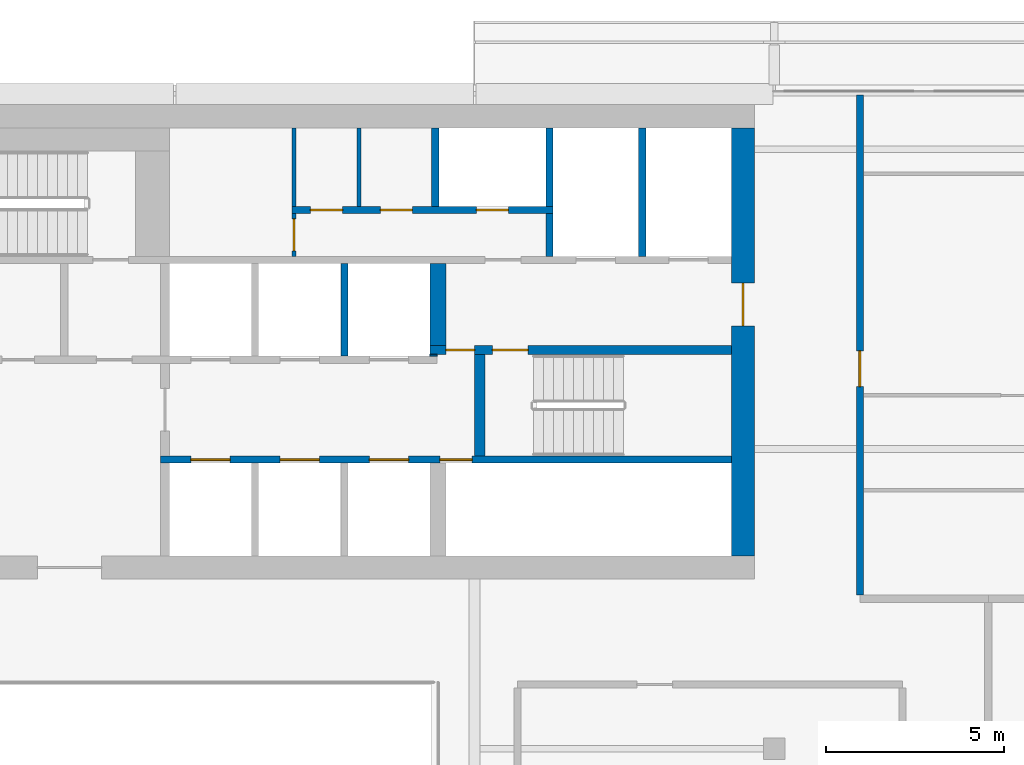
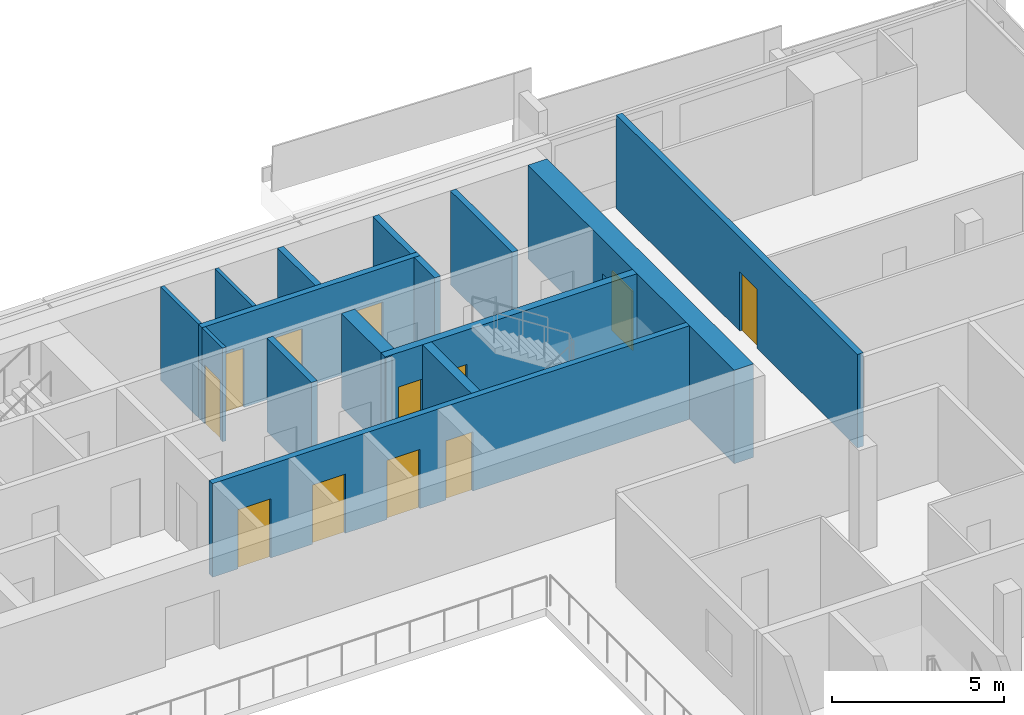
# One storey, part 22 of 29: 16 walls, 12 doors, 12 openings.
"""IFC4 building model written with IfcOpenShell, lengths in metres."""

import ifcopenshell
import ifcopenshell.guid

model = None  # the IFC model being written
_history = None  # IfcOwnerHistory: only IFC2X3 demands one
_inside = {}  # id of a spatial element -> (the spatial element, [elements in it])
_under = {}  # id of a project, library or spatial element -> (it, [spatial elements below it])
_declared = {}  # id of a project -> (the project, [libraries it declares])
_typed = {}  # id of a type object -> (the type object, [elements of that type])
_made_of = {}  # id of a material, layer set ... -> (it, [elements and type objects made of it])


def new_model(schema):
    """Start an empty IFC model of exactly this schema.

    Asked for "IFC4X3", IfcOpenShell would pick the latest addendum, in which some entities
    have other attributes; the version numbers below select the first issue.
    IFC2X3 requires an IfcOwnerHistory on every rooted entity: one is made here for all.
    """
    global model, _history
    if schema == "IFC4X3":
        model = ifcopenshell.file(schema_version=(4, 3, 0, 0))
    else:
        model = ifcopenshell.file(schema=schema)
    _inside.clear()
    _under.clear()
    _declared.clear()
    _typed.clear()
    _made_of.clear()
    _history = None
    if model.schema == "IFC2X3":
        org = make("IfcOrganization", Name="unknown")
        user = make(
            "IfcPersonAndOrganization",
            ThePerson=make("IfcPerson", FamilyName="unknown"),
            TheOrganization=org,
        )
        app = make(
            "IfcApplication",
            ApplicationDeveloper=org,
            Version="unknown",
            ApplicationFullName="unknown",
            ApplicationIdentifier="unknown",
        )
        _history = make(
            "IfcOwnerHistory",
            OwningUser=user,
            OwningApplication=app,
            ChangeAction="ADDED",
            CreationDate=0,
        )
    return model


def make(cls, **values):
    """One entity of the class cls with the attributes given. An attribute that is None is left unset."""
    return model.create_entity(
        cls, **{name: value for name, value in values.items() if value is not None}
    )


def rooted(cls, **values):
    """An entity with a GlobalId (a new one), such as an element, a storey or a relation."""
    return make(cls, GlobalId=ifcopenshell.guid.new(), OwnerHistory=_history, **values)


def si_unit(unit_type, name, prefix=None):
    """IfcSIUnit, for example si_unit("LENGTHUNIT", "METRE", prefix="MILLI")."""
    return make("IfcSIUnit", UnitType=unit_type, Prefix=prefix, Name=name)


def assignment(units):
    """IfcUnitAssignment: the units of a project."""
    return None if units is None else make("IfcUnitAssignment", Units=units)


def point(xyz):
    """IfcCartesianPoint."""
    return None if xyz is None else make("IfcCartesianPoint", Coordinates=xyz)


def direction(xyz):
    """IfcDirection."""
    return None if xyz is None else make("IfcDirection", DirectionRatios=xyz)


def frame(location, z_axis=None, x_axis=None):
    """IfcAxis2Placement3D, a coordinate frame: its origin and axes. An axis left out is left unset."""
    return make(
        "IfcAxis2Placement3D",
        Location=point(location),
        Axis=direction(z_axis),
        RefDirection=direction(x_axis),
    )


def frame_2d(location, x_axis=None):
    """IfcAxis2Placement2D, a coordinate frame in the plane: its origin and x axis."""
    return make(
        "IfcAxis2Placement2D", Location=point(location), RefDirection=direction(x_axis)
    )


def origin():
    """The frame at (0, 0, 0) with its axes left unset."""
    return frame((0.0, 0.0, 0.0))


def place(relative_to, where):
    """IfcLocalPlacement: puts the frame where relative to a parent placement (None: the world)."""
    return make(
        "IfcLocalPlacement", PlacementRelTo=relative_to, RelativePlacement=where
    )


def context(
    kind, dimensions, precision=None, world=None, true_north=None, identifier=None
):
    """IfcGeometricRepresentationContext, for example the 3D "Model" context."""
    return make(
        "IfcGeometricRepresentationContext",
        ContextIdentifier=identifier,
        ContextType=kind,
        CoordinateSpaceDimension=dimensions,
        Precision=precision,
        WorldCoordinateSystem=world,
        TrueNorth=true_north,
    )


def subcontext(parent, identifier, kind, view, scale=None):
    """IfcGeometricRepresentationSubContext, for example "Body" below "Model"."""
    return make(
        "IfcGeometricRepresentationSubContext",
        ContextIdentifier=identifier,
        ContextType=kind,
        ParentContext=parent,
        TargetScale=scale,
        TargetView=view,
    )


def project(units=None, contexts=None):
    """IfcProject with its units and contexts."""
    return rooted(
        "IfcProject",
        Name="project",
        RepresentationContexts=contexts,
        UnitsInContext=assignment(units),
    )


def spatial(cls, under=None, at=None, **own):
    """A site, building, storey or space (cls), placed at a placement, below another one or the project."""
    s = rooted(cls, ObjectPlacement=at, **own)
    if under is not None:
        _under.setdefault(under.id(), (under, []))[1].append(s)
    return s


def profile(cls, at=None, kind="AREA", **sizes):
    """A parametric profile (cls). Its sizes go by their IFC names, for example OverallWidth=200.0."""
    return make(cls, ProfileType=kind, Position=at, **sizes)


def rectangle(**sizes):
    """IfcRectangleProfileDef."""
    return profile("IfcRectangleProfileDef", **sizes)


def extrude(swept, where, along, depth):
    """IfcExtrudedAreaSolid: the profile swept, set in the frame where, extruded along a direction by depth."""
    return make(
        "IfcExtrudedAreaSolid",
        SweptArea=swept,
        Position=where,
        ExtrudedDirection=direction(along),
        Depth=depth,
    )


def shape(context_of_items, identifier, shape_type, items):
    """IfcShapeRepresentation: the items that make up one representation, for example the "Body"."""
    return make(
        "IfcShapeRepresentation",
        ContextOfItems=context_of_items,
        RepresentationIdentifier=identifier,
        RepresentationType=shape_type,
        Items=items,
    )


def material(Name=None, Category=None):
    """IfcMaterial."""
    return make("IfcMaterial", Name=Name, Category=Category)


def layer(
    of_material, thickness, ventilated=None, Name=None, Category=None, Priority=None
):
    """IfcMaterialLayer: one layer of a wall or slab, of a material (None: an air gap)."""
    return make(
        "IfcMaterialLayer",
        Material=of_material,
        LayerThickness=thickness,
        IsVentilated=ventilated,
        Name=Name,
        Category=Category,
        Priority=Priority,
    )


def layer_set(layers, Name=None):
    """IfcMaterialLayerSet."""
    return make("IfcMaterialLayerSet", MaterialLayers=layers, LayerSetName=Name)


def made_of(thing, what):
    """Note that an element or type object is made of a material, layer set ...; save() writes the relation."""
    if what is not None:
        _made_of.setdefault(what.id(), (what, []))[1].append(thing)
    return thing


def type_object(cls, material=None, **own):
    """A type object (cls), such as IfcWallType, which elements share."""
    return made_of(rooted(cls, **own), material)


def element(
    cls,
    number,
    at=None,
    inside=None,
    cuts=None,
    type_object=None,
    material=None,
    context=None,
    identifier="Body",
    shape_type=None,
    held_by="IfcProductDefinitionShape",
    body=None,
    shapes=None,
    **own,
):
    """One element of the class cls, such as IfcWall. Its Tag is "e" and its number.

    at: its placement. inside: the storey or other place that contains it. cuts: it is an
    opening in that element (IfcRelVoidsElement). A single representation is given by context,
    identifier, shape_type and body (its items); several are given by shapes. held_by: the class
    of the entity that holds the representations. save() writes the other relations.
    """
    e = rooted(cls, Tag="e%d" % number, ObjectPlacement=at, **own)
    if body is not None:
        shapes = [shape(context, identifier, shape_type, body)]
    if shapes is not None:
        e.Representation = make(held_by, Representations=shapes)
    if inside is not None:
        _inside.setdefault(inside.id(), (inside, []))[1].append(e)
    if cuts is not None:
        rooted(
            "IfcRelVoidsElement", RelatingBuildingElement=cuts, RelatedOpeningElement=e
        )
    if type_object is not None:
        _typed.setdefault(type_object.id(), (type_object, []))[1].append(e)
    return made_of(e, material)


def fill(opening, filler):
    """IfcRelFillsElement: the door or window that sits in an opening."""
    return rooted(
        "IfcRelFillsElement",
        RelatingOpeningElement=opening,
        RelatedBuildingElement=filler,
    )


def aggregate(whole, parts):
    """IfcRelAggregates: a whole, such as a stair, and the parts it consists of."""
    return rooted("IfcRelAggregates", RelatingObject=whole, RelatedObjects=parts)


def save(model, path):
    """Write the relations noted so far, then the file.

    IfcRelAggregates (storeys below a building ...), IfcRelContainedInSpatialStructure (elements
    in a storey), IfcRelDefinesByType, IfcRelAssociatesMaterial and IfcRelDeclares: one each for
    every whole, place, type object, material and project.
    """
    for whole, parts in _under.values():
        aggregate(whole, parts)
    for where, things in _inside.values():
        rooted(
            "IfcRelContainedInSpatialStructure",
            RelatedElements=things,
            RelatingStructure=where,
        )
    for kind, things in _typed.values():
        rooted("IfcRelDefinesByType", RelatedObjects=things, RelatingType=kind)
    for what, things in _made_of.values():
        rooted("IfcRelAssociatesMaterial", RelatedObjects=things, RelatingMaterial=what)
    for by, libraries in _declared.values():
        rooted("IfcRelDeclares", RelatingContext=by, RelatedDefinitions=libraries)
    model.write(path)


model = new_model("IFC4")

# Units and contexts
model_context = context("Model", 3, precision=1e-05, world=origin(), true_north=direction((0.0, 1.0)))
body_context = subcontext(model_context, "Body", "Model", "MODEL_VIEW")
ifc_project = project(units=[si_unit("LENGTHUNIT", "METRE"), si_unit("AREAUNIT", "SQUARE_METRE"), si_unit("VOLUMEUNIT", "CUBIC_METRE"), si_unit("PLANEANGLEUNIT", "RADIAN"), si_unit("MASSUNIT", "GRAM", prefix="KILO")], contexts=[model_context])

# Site, building, storey
site_placement = place(None, origin())
site = spatial("IfcSite", under=ifc_project, at=site_placement, CompositionType="ELEMENT")
building_placement = place(site_placement, origin())
building = spatial("IfcBuilding", under=site, at=building_placement, Name="Saffron Gate Tower", CompositionType="ELEMENT")
storey_placement = place(building_placement, frame((0.0, 0.0, 227.10009765625)))
storey = spatial("IfcBuildingStorey", under=building, at=storey_placement, Name="L55", CompositionType="ELEMENT", Elevation=227.10009765625)

# Wall, openings, doors
ifc_material_1 = material(Name="Concrete C60", Category="concrete")
ifc_layer_1 = layer(ifc_material_1, 0.25)
ifc_layer_set_1 = layer_set([ifc_layer_1], Name="CW14 RC core wall 250 C60")
wall_type_1 = type_object("IfcWallType", Name="CW14 RC core wall 250 C60", PredefinedType="SOLIDWALL", material=ifc_layer_set_1)
wall_1_placement = place(storey_placement, frame((98.949951171875, 68.175048828125, 0.0), z_axis=(0.0, 0.0, 1.0), x_axis=(1.0, 0.0, 0.0)))
wall_1 = element("IfcWall", 1, at=wall_1_placement, inside=storey, type_object=wall_type_1, Name="Wall CW14-L55-29", PredefinedType="SOLIDWALL", context=body_context, shape_type="SweptSolid", body=[
    extrude(rectangle(XDim=8.449951171875, YDim=0.25, at=frame_2d((4.22509765625, 0.0))), origin(), (0.0, 0.0, 1.0), 3.31982421875),
])
opening_1_placement = place(wall_1_placement, frame((0.449951171875, 0.0, 0.0)))
opening_1 = element("IfcOpeningElement", 2, at=opening_1_placement, cuts=wall_1, Name="Opening CR-05", PredefinedType="OPENING", context=body_context, shape_type="SweptSolid", body=[
    extrude(rectangle(XDim=0.800048828125, YDim=2.10009765625, at=frame_2d((0.39990234375, 1.050048828125))), frame((0.0, 0.135009765625, 0.0), z_axis=(0.0, -1.0, 0.0), x_axis=(1.0, 0.0, 0.0)), (0.0, 0.0, 1.0), 0.27001953125),
])
opening_2_placement = place(wall_1_placement, frame((1.75, 0.0, 0.0)))
opening_2 = element("IfcOpeningElement", 3, at=opening_2_placement, cuts=wall_1, Name="Opening CR-16", PredefinedType="OPENING", context=body_context, shape_type="SweptSolid", body=[
    extrude(rectangle(XDim=1.0, YDim=2.10009765625, at=frame_2d((0.5, 1.050048828125))), frame((0.0, 0.135009765625, 0.0), z_axis=(0.0, -1.0, 0.0), x_axis=(1.0, 0.0, 0.0)), (0.0, 0.0, 1.0), 0.27001953125),
])
ifc_material_2 = material(Name="Steel fire door set", Category="steel")
door_type_1 = type_object("IfcDoorType", Name="CD5 Stair door 1000x2100 EI 120", OperationType="NOTDEFINED", PredefinedType="DOOR", material=ifc_material_2)
door_1_placement = place(opening_2_placement, origin())
door_1 = element("IfcDoor", 4, at=door_1_placement, inside=storey, type_object=door_type_1, Name="DOOR CR-16", OperationType="SINGLE_SWING_RIGHT", OverallHeight=2.10009765625, OverallWidth=1.0, PredefinedType="DOOR", context=body_context, shape_type="SweptSolid", body=[
    extrude(rectangle(XDim=1.0, YDim=2.10009765625, at=frame_2d((0.5, 1.050048828125))), frame((0.0, 0.02490234375, 0.0), z_axis=(0.0, -1.0, 0.0), x_axis=(1.0, 0.0, 0.0)), (0.0, 0.0, 1.0), 0.050048828125),
])
fill(opening_2, door_1)
door_type_2 = type_object("IfcDoorType", Name="CD6 Lobby door 800x2100 EI 120", OperationType="NOTDEFINED", PredefinedType="DOOR", material=ifc_material_2)
door_2_placement = place(opening_1_placement, origin())
door_2 = element("IfcDoor", 5, at=door_2_placement, inside=storey, type_object=door_type_2, Name="DOOR CR-05", OperationType="SINGLE_SWING_LEFT", OverallHeight=2.10009765625, OverallWidth=0.800048828125, PredefinedType="DOOR", context=body_context, shape_type="SweptSolid", body=[
    extrude(rectangle(XDim=0.800048828125, YDim=2.10009765625, at=frame_2d((0.39990234375, 1.050048828125))), frame((0.0, 0.02490234375, 0.0), z_axis=(0.0, -1.0, 0.0), x_axis=(1.0, 0.0, 0.0)), (0.0, 0.0, 1.0), 0.050048828125),
])
fill(opening_1, door_2)

ifc_layer_2 = layer(ifc_material_1, 0.199951171875)
ifc_layer_set_2 = layer_set([ifc_layer_2], Name="CW15 RC core wall 200 C60")
wall_type_2 = type_object("IfcWallType", Name="CW15 RC core wall 200 C60", PredefinedType="SOLIDWALL", material=ifc_layer_set_2)
wall_2_placement = place(storey_placement, frame((91.39990234375, 65.10009765625, 0.0), z_axis=(0.0, 0.0, 1.0), x_axis=(1.0, 0.0, 0.0)))
wall_2 = element("IfcWall", 6, at=wall_2_placement, inside=storey, type_object=wall_type_2, Name="Wall CW15-L55-14", PredefinedType="SOLIDWALL", context=body_context, shape_type="SweptSolid", body=[
    extrude(rectangle(XDim=16.0, YDim=0.199951171875, at=frame_2d((8.0, 0.0))), origin(), (0.0, 0.0, 1.0), 3.31982421875),
])
opening_3_placement = place(wall_2_placement, frame((0.85009765625, 0.0, 0.0)))
opening_3 = element("IfcOpeningElement", 7, at=opening_3_placement, cuts=wall_2, Name="Opening LD-HR1", PredefinedType="OPENING", context=body_context, shape_type="SweptSolid", body=[
    extrude(rectangle(XDim=1.10009765625, YDim=2.10009765625, at=frame_2d((0.550048828125, 1.050048828125))), frame((0.0, 0.10986328125, 0.0), z_axis=(0.0, -1.0, 0.0), x_axis=(1.0, 0.0, 0.0)), (0.0, 0.0, 1.0), 0.219970703125),
])
opening_4_placement = place(wall_2_placement, frame((3.35009765625, 0.0, 0.0)))
opening_4 = element("IfcOpeningElement", 8, at=opening_4_placement, cuts=wall_2, Name="Opening LD-HR2", PredefinedType="OPENING", context=body_context, shape_type="SweptSolid", body=[
    extrude(rectangle(XDim=1.10009765625, YDim=2.10009765625, at=frame_2d((0.550048828125, 1.050048828125))), frame((0.0, 0.10986328125, 0.0), z_axis=(0.0, -1.0, 0.0), x_axis=(1.0, 0.0, 0.0)), (0.0, 0.0, 1.0), 0.219970703125),
])
opening_5_placement = place(wall_2_placement, frame((5.85009765625, 0.0, 0.0)))
opening_5 = element("IfcOpeningElement", 9, at=opening_5_placement, cuts=wall_2, Name="Opening LD-HR3", PredefinedType="OPENING", context=body_context, shape_type="SweptSolid", body=[
    extrude(rectangle(XDim=1.10009765625, YDim=2.10009765625, at=frame_2d((0.550048828125, 1.050048828125))), frame((0.0, 0.10986328125, 0.0), z_axis=(0.0, -1.0, 0.0), x_axis=(1.0, 0.0, 0.0)), (0.0, 0.0, 1.0), 0.219970703125),
])
opening_6_placement = place(wall_2_placement, frame((7.830078125, 0.0, 0.0)))
opening_6 = element("IfcOpeningElement", 10, at=opening_6_placement, cuts=wall_2, Name="Opening CR-48", PredefinedType="OPENING", context=body_context, shape_type="SweptSolid", body=[
    extrude(rectangle(XDim=0.89990234375, YDim=2.10009765625, at=frame_2d((0.449951171875, 1.050048828125))), frame((0.0, 0.10986328125, 0.0), z_axis=(0.0, -1.0, 0.0), x_axis=(1.0, 0.0, 0.0)), (0.0, 0.0, 1.0), 0.219970703125),
])
door_type_3 = type_object("IfcDoorType", Name="CD2 Riser door 900x2100 EI 60", OperationType="NOTDEFINED", PredefinedType="DOOR", material=ifc_material_2)
door_3_placement = place(opening_6_placement, origin())
door_3 = element("IfcDoor", 11, at=door_3_placement, inside=storey, type_object=door_type_3, Name="DOOR CR-48", OperationType="SINGLE_SWING_RIGHT", OverallHeight=2.10009765625, OverallWidth=0.89990234375, PredefinedType="DOOR", context=body_context, shape_type="SweptSolid", body=[
    extrude(rectangle(XDim=0.89990234375, YDim=2.10009765625, at=frame_2d((0.449951171875, 1.050048828125))), frame((0.0, 0.02490234375, 0.0), z_axis=(0.0, -1.0, 0.0), x_axis=(1.0, 0.0, 0.0)), (0.0, 0.0, 1.0), 0.050048828125),
])
fill(opening_6, door_3)
ifc_material_3 = material(Name="Stainless steel landing door", Category="steel")
door_type_4 = type_object("IfcDoorType", Name="LD Lift landing door 1100x2100 EI 120", OperationType="SLIDING_TO_LEFT", PredefinedType="DOOR", material=ifc_material_3)
door_4_placement = place(opening_3_placement, origin())
door_4 = element("IfcDoor", 12, at=door_4_placement, inside=storey, type_object=door_type_4, Name="LANDING DOOR LD-HR1", OperationType="SLIDING_TO_LEFT", OverallHeight=2.10009765625, OverallWidth=1.10009765625, PredefinedType="DOOR", context=body_context, shape_type="SweptSolid", body=[
    extrude(rectangle(XDim=1.10009765625, YDim=2.10009765625, at=frame_2d((0.550048828125, 1.050048828125))), frame((0.0, 0.02490234375, 0.0), z_axis=(0.0, -1.0, 0.0), x_axis=(1.0, 0.0, 0.0)), (0.0, 0.0, 1.0), 0.050048828125),
])
fill(opening_3, door_4)
door_5_placement = place(opening_4_placement, origin())
door_5 = element("IfcDoor", 13, at=door_5_placement, inside=storey, type_object=door_type_4, Name="LANDING DOOR LD-HR2", OperationType="SLIDING_TO_LEFT", OverallHeight=2.10009765625, OverallWidth=1.10009765625, PredefinedType="DOOR", context=body_context, shape_type="SweptSolid", body=[
    extrude(rectangle(XDim=1.10009765625, YDim=2.10009765625, at=frame_2d((0.550048828125, 1.050048828125))), frame((0.0, 0.02490234375, 0.0), z_axis=(0.0, -1.0, 0.0), x_axis=(1.0, 0.0, 0.0)), (0.0, 0.0, 1.0), 0.050048828125),
])
fill(opening_4, door_5)
door_6_placement = place(opening_5_placement, origin())
door_6 = element("IfcDoor", 14, at=door_6_placement, inside=storey, type_object=door_type_4, Name="LANDING DOOR LD-HR3", OperationType="SLIDING_TO_LEFT", OverallHeight=2.10009765625, OverallWidth=1.10009765625, PredefinedType="DOOR", context=body_context, shape_type="SweptSolid", body=[
    extrude(rectangle(XDim=1.10009765625, YDim=2.10009765625, at=frame_2d((0.550048828125, 1.050048828125))), frame((0.0, 0.02490234375, 0.0), z_axis=(0.0, -1.0, 0.0), x_axis=(1.0, 0.0, 0.0)), (0.0, 0.0, 1.0), 0.050048828125),
])
fill(opening_5, door_6)

# Walls
wall_3_placement = place(storey_placement, frame((96.550048828125, 68.0, 0.0), z_axis=(0.0, 0.0, 1.0), x_axis=(0.0, 1.0, 0.0)))
element("IfcWall", 15, at=wall_3_placement, inside=storey, type_object=wall_type_2, Name="Wall CW15-L55-26", PredefinedType="SOLIDWALL", context=body_context, shape_type="SweptSolid", body=[
    extrude(rectangle(XDim=2.60009765625, YDim=0.199951171875, at=frame_2d((1.300048828125, 0.0))), origin(), (0.0, 0.0, 1.0), 3.31982421875),
])
wall_4_placement = place(storey_placement, frame((102.300048828125, 70.800048828125, 0.0), z_axis=(0.0, 0.0, 1.0), x_axis=(0.0, 1.0, 0.0)))
element("IfcWall", 16, at=wall_4_placement, inside=storey, type_object=wall_type_2, Name="Wall CW15-L55-39", PredefinedType="SOLIDWALL", context=body_context, shape_type="SweptSolid", body=[
    extrude(rectangle(XDim=1.199951171875, YDim=0.199951171875, at=frame_2d((0.60009765625, 0.0))), origin(), (0.0, 0.0, 1.0), 3.31982421875),
])
wall_5_placement = place(storey_placement, frame((104.89990234375, 70.800048828125, 0.0), z_axis=(0.0, 0.0, 1.0), x_axis=(0.0, 1.0, 0.0)))
element("IfcWall", 17, at=wall_5_placement, inside=storey, type_object=wall_type_2, Name="Wall CW15-L55-40", PredefinedType="SOLIDWALL", context=body_context, shape_type="SweptSolid", body=[
    extrude(rectangle(XDim=3.599853515625, YDim=0.199951171875, at=frame_2d((1.7998046875, 0.0))), origin(), (0.0, 0.0, 1.0), 3.31982421875),
])

# Wall, openings, doors
wall_6_placement = place(storey_placement, frame((95.080078125, 72.10009765625, 0.0), z_axis=(0.0, 0.0, 1.0), x_axis=(1.0, 0.0, 0.0)))
wall_6 = element("IfcWall", 18, at=wall_6_placement, inside=storey, type_object=wall_type_2, Name="Wall CW15-L55-42", PredefinedType="SOLIDWALL", context=body_context, shape_type="SweptSolid", body=[
    extrude(rectangle(XDim=7.31982421875, YDim=0.199951171875, at=frame_2d((3.659912109375, 0.0))), origin(), (0.0, 0.0, 1.0), 3.31982421875),
])
opening_7_placement = place(wall_6_placement, frame((0.52001953125, 0.0, 0.0)))
opening_7 = element("IfcOpeningElement", 19, at=opening_7_placement, cuts=wall_6, Name="Opening CR-50", PredefinedType="OPENING", context=body_context, shape_type="SweptSolid", body=[
    extrude(rectangle(XDim=0.89990234375, YDim=2.10009765625, at=frame_2d((0.449951171875, 1.050048828125))), frame((0.0, 0.10986328125, 0.0), z_axis=(0.0, -1.0, 0.0), x_axis=(1.0, 0.0, 0.0)), (0.0, 0.0, 1.0), 0.219970703125),
])
opening_8_placement = place(wall_6_placement, frame((2.47998046875, 0.0, 0.0)))
opening_8 = element("IfcOpeningElement", 20, at=opening_8_placement, cuts=wall_6, Name="Opening CR-53", PredefinedType="OPENING", context=body_context, shape_type="SweptSolid", body=[
    extrude(rectangle(XDim=0.89990234375, YDim=2.10009765625, at=frame_2d((0.449951171875, 1.050048828125))), frame((0.0, 0.10986328125, 0.0), z_axis=(0.0, -1.0, 0.0), x_axis=(1.0, 0.0, 0.0)), (0.0, 0.0, 1.0), 0.219970703125),
])
opening_9_placement = place(wall_6_placement, frame((5.169921875, 0.0, 0.0)))
opening_9 = element("IfcOpeningElement", 21, at=opening_9_placement, cuts=wall_6, Name="Opening CR-70", PredefinedType="OPENING", context=body_context, shape_type="SweptSolid", body=[
    extrude(rectangle(XDim=0.89990234375, YDim=2.10009765625, at=frame_2d((0.449951171875, 1.050048828125))), frame((0.0, 0.10986328125, 0.0), z_axis=(0.0, -1.0, 0.0), x_axis=(1.0, 0.0, 0.0)), (0.0, 0.0, 1.0), 0.219970703125),
])
door_7_placement = place(opening_9_placement, origin())
door_7 = element("IfcDoor", 22, at=door_7_placement, inside=storey, type_object=door_type_3, Name="DOOR CR-70", OperationType="SINGLE_SWING_LEFT", OverallHeight=2.10009765625, OverallWidth=0.89990234375, PredefinedType="DOOR", context=body_context, shape_type="SweptSolid", body=[
    extrude(rectangle(XDim=0.89990234375, YDim=2.10009765625, at=frame_2d((0.449951171875, 1.050048828125))), frame((0.0, 0.02490234375, 0.0), z_axis=(0.0, -1.0, 0.0), x_axis=(1.0, 0.0, 0.0)), (0.0, 0.0, 1.0), 0.050048828125),
])
fill(opening_9, door_7)
door_type_5 = type_object("IfcDoorType", Name="CD9 Room door 900x2100 EI 60", OperationType="NOTDEFINED", PredefinedType="DOOR", material=ifc_material_2)
door_8_placement = place(opening_7_placement, origin())
door_8 = element("IfcDoor", 23, at=door_8_placement, inside=storey, type_object=door_type_5, Name="DOOR CR-50", OperationType="SINGLE_SWING_LEFT", OverallHeight=2.10009765625, OverallWidth=0.89990234375, PredefinedType="DOOR", context=body_context, shape_type="SweptSolid", body=[
    extrude(rectangle(XDim=0.89990234375, YDim=2.10009765625, at=frame_2d((0.449951171875, 1.050048828125))), frame((0.0, 0.02490234375, 0.0), z_axis=(0.0, -1.0, 0.0), x_axis=(1.0, 0.0, 0.0)), (0.0, 0.0, 1.0), 0.050048828125),
])
fill(opening_7, door_8)
door_9_placement = place(opening_8_placement, origin())
door_9 = element("IfcDoor", 24, at=door_9_placement, inside=storey, type_object=door_type_5, Name="DOOR CR-53", OperationType="SINGLE_SWING_LEFT", OverallHeight=2.10009765625, OverallWidth=0.89990234375, PredefinedType="DOOR", context=body_context, shape_type="SweptSolid", body=[
    extrude(rectangle(XDim=0.89990234375, YDim=2.10009765625, at=frame_2d((0.449951171875, 1.050048828125))), frame((0.0, 0.02490234375, 0.0), z_axis=(0.0, -1.0, 0.0), x_axis=(1.0, 0.0, 0.0)), (0.0, 0.0, 1.0), 0.050048828125),
])
fill(opening_8, door_9)

# Walls
for number, where, z_axis, x_axis, name in (
    (25, (99.10009765625, 72.199951171875, 0.0), (0.0, 0.0, 1.0), (0.0, 1.0, 0.0), "Wall CW15-L55-49"),
    (26, (102.300048828125, 72.199951171875, 0.0), (0.0, 0.0, 1.0), (0.0, 1.0, 0.0), "Wall CW15-L55-50"),
):
    element("IfcWall", number, at=place(storey_placement, frame(where, z_axis=z_axis, x_axis=x_axis)), inside=storey, type_object=wall_type_2, Name=name, PredefinedType="SOLIDWALL", context=body_context, shape_type="SweptSolid", body=[
        extrude(rectangle(XDim=2.199951171875, YDim=0.199951171875, at=frame_2d((1.10009765625, 0.0))), origin(), (0.0, 0.0, 1.0), 3.31982421875),
    ])
ifc_layer_3 = layer(ifc_material_1, 0.449951171875)
ifc_layer_set_3 = layer_set([ifc_layer_3], Name="CW16 RC core wall 450 C60")
wall_type_3 = type_object("IfcWallType", Name="CW16 RC core wall 450 C60", PredefinedType="SOLIDWALL", material=ifc_layer_set_3)
wall_7_placement = place(storey_placement, frame((99.175048828125, 68.300048828125, 0.0), z_axis=(0.0, 0.0, 1.0), x_axis=(0.0, 1.0, 0.0)))
element("IfcWall", 27, at=wall_7_placement, inside=storey, type_object=wall_type_3, Name="Wall CW16-L55-31", PredefinedType="SOLIDWALL", context=body_context, shape_type="SweptSolid", body=[
    extrude(rectangle(XDim=2.300048828125, YDim=0.449951171875, at=frame_2d((1.14990234375, 0.0))), origin(), (0.0, 0.0, 1.0), 3.31982421875),
])
ifc_layer_4 = layer(ifc_material_1, 0.300048828125)
ifc_layer_set_4 = layer_set([ifc_layer_4], Name="CW17 RC core wall 300 C60")
wall_type_4 = type_object("IfcWallType", Name="CW17 RC core wall 300 C60", PredefinedType="SOLIDWALL", material=ifc_layer_set_4)
wall_8_placement = place(storey_placement, frame((100.35009765625, 65.199951171875, 0.0), z_axis=(0.0, 0.0, 1.0), x_axis=(0.0, 1.0, 0.0)))
element("IfcWall", 28, at=wall_8_placement, inside=storey, type_object=wall_type_4, Name="Wall CW17-L55-18", PredefinedType="SOLIDWALL", context=body_context, shape_type="SweptSolid", body=[
    extrude(rectangle(XDim=2.85009765625, YDim=0.300048828125, at=frame_2d((1.425048828125, 0.0))), origin(), (0.0, 0.0, 1.0), 3.31982421875),
])
ifc_layer_5 = layer(ifc_material_1, 0.050048828125)
ifc_layer_set_5 = layer_set([ifc_layer_5], Name="CW18 RC core wall 50 C60")
wall_type_5 = type_object("IfcWallType", Name="CW18 RC core wall 50 C60", PredefinedType="SOLIDWALL", material=ifc_layer_set_5)
wall_9_placement = place(storey_placement, frame((98.949951171875, 68.02490234375, 0.0), z_axis=(0.0, 0.0, 1.0), x_axis=(1.0, 0.0, 0.0)))
element("IfcWall", 29, at=wall_9_placement, inside=storey, type_object=wall_type_5, Name="Wall CW18-L55-27", PredefinedType="SOLIDWALL", context=body_context, shape_type="SweptSolid", body=[
    extrude(rectangle(XDim=0.199951171875, YDim=0.050048828125, at=frame_2d((0.10009765625, 0.0))), origin(), (0.0, 0.0, 1.0), 3.31982421875),
])

# Wall, opening, door
ifc_layer_6 = layer(ifc_material_1, 0.64990234375)
ifc_layer_set_6 = layer_set([ifc_layer_6], Name="CW20 RC core wall 650 C60")
wall_type_6 = type_object("IfcWallType", Name="CW20 RC core wall 650 C60", PredefinedType="SOLIDWALL", material=ifc_layer_set_6)
wall_10_placement = place(storey_placement, frame((107.72509765625, 62.39990234375, 0.0), z_axis=(0.0, 0.0, 1.0), x_axis=(0.0, 1.0, 0.0)))
wall_10 = element("IfcWall", 30, at=wall_10_placement, inside=storey, type_object=wall_type_6, Name="Wall CW20-L55-4", PredefinedType="SOLIDWALL", context=body_context, shape_type="SweptSolid", body=[
    extrude(rectangle(XDim=12.0, YDim=0.64990234375, at=frame_2d((6.0, 0.0))), origin(), (0.0, 0.0, 1.0), 3.31982421875),
])
opening_10_placement = place(wall_10_placement, frame((6.449951171875, 0.0, 0.0)))
opening_10 = element("IfcOpeningElement", 31, at=opening_10_placement, cuts=wall_10, Name="Opening CR-08", PredefinedType="OPENING", context=body_context, shape_type="SweptSolid", body=[
    extrude(rectangle(XDim=1.199951171875, YDim=2.10009765625, at=frame_2d((0.60009765625, 1.050048828125))), frame((0.0, 0.3349609375, 0.0), z_axis=(0.0, -1.0, 0.0), x_axis=(1.0, 0.0, 0.0)), (0.0, 0.0, 1.0), 0.669921875),
])
door_type_6 = type_object("IfcDoorType", Name="CD7 Core entrance door 1200x2100 EI 120", OperationType="NOTDEFINED", PredefinedType="DOOR", material=ifc_material_2)
door_10_placement = place(opening_10_placement, origin())
door_10 = element("IfcDoor", 32, at=door_10_placement, inside=storey, type_object=door_type_6, Name="DOOR CR-08", OperationType="SINGLE_SWING_RIGHT", OverallHeight=2.10009765625, OverallWidth=1.199951171875, PredefinedType="DOOR", context=body_context, shape_type="SweptSolid", body=[
    extrude(rectangle(XDim=1.199951171875, YDim=2.10009765625, at=frame_2d((0.60009765625, 1.050048828125))), frame((0.0, 0.02490234375, 0.0), z_axis=(0.0, -1.0, 0.0), x_axis=(1.0, 0.0, 0.0)), (0.0, 0.0, 1.0), 0.050048828125),
])
fill(opening_10, door_10)

ifc_material_4 = material(Name="Gypsum board partition on steel studs", Category="steel")
ifc_layer_7 = layer(ifc_material_4, 0.1201171875)
ifc_layer_set_7 = layer_set([ifc_layer_7], Name="CW8 Core partition 120")
wall_type_7 = type_object("IfcWallType", Name="CW8 Core partition 120", PredefinedType="PARTITIONING", material=ifc_layer_set_7)
wall_11_placement = place(storey_placement, frame((95.139892578125, 70.800048828125, 0.0), z_axis=(0.0, 0.0, 1.0), x_axis=(0.0, 1.0, 0.0)))
wall_11 = element("IfcWall", 33, at=wall_11_placement, inside=storey, type_object=wall_type_7, Name="Wall CW8-L55-38", PredefinedType="PARTITIONING", context=body_context, shape_type="SweptSolid", body=[
    extrude(rectangle(XDim=1.199951171875, YDim=0.1201171875, at=frame_2d((0.60009765625, 0.0))), origin(), (0.0, 0.0, 1.0), 3.31982421875),
])
opening_11_placement = place(wall_11_placement, frame((0.14990234375, 0.0, 0.0)))
opening_11 = element("IfcOpeningElement", 34, at=opening_11_placement, cuts=wall_11, Name="Opening CR-54", PredefinedType="OPENING", context=body_context, shape_type="SweptSolid", body=[
    extrude(rectangle(XDim=0.89990234375, YDim=2.10009765625, at=frame_2d((0.449951171875, 1.050048828125))), frame((0.0, 0.070068359375, 0.0), z_axis=(0.0, -1.0, 0.0), x_axis=(1.0, 0.0, 0.0)), (0.0, 0.0, 1.0), 0.14013671875),
])
door_11_placement = place(opening_11_placement, origin())
door_11 = element("IfcDoor", 35, at=door_11_placement, inside=storey, type_object=door_type_5, Name="DOOR CR-54", OperationType="SINGLE_SWING_LEFT", OverallHeight=2.10009765625, OverallWidth=0.89990234375, PredefinedType="DOOR", context=body_context, shape_type="SweptSolid", body=[
    extrude(rectangle(XDim=0.89990234375, YDim=2.10009765625, at=frame_2d((0.449951171875, 1.050048828125))), frame((0.0, 0.02490234375, 0.0), z_axis=(0.0, -1.0, 0.0), x_axis=(1.0, 0.0, 0.0)), (0.0, 0.0, 1.0), 0.050048828125),
])
fill(opening_11, door_11)

# Walls
for number, where, z_axis, x_axis, name in (
    (36, (95.139892578125, 72.199951171875, 0.0), (0.0, 0.0, 1.0), (0.0, 1.0, 0.0), "Wall CW8-L55-47"),
    (37, (96.9599609375, 72.199951171875, 0.0), (0.0, 0.0, 1.0), (0.0, 1.0, 0.0), "Wall CW8-L55-48"),
):
    element("IfcWall", number, at=place(storey_placement, frame(where, z_axis=z_axis, x_axis=x_axis)), inside=storey, type_object=wall_type_7, Name=name, PredefinedType="PARTITIONING", context=body_context, shape_type="SweptSolid", body=[
        extrude(rectangle(XDim=2.199951171875, YDim=0.1201171875, at=frame_2d((1.10009765625, 0.0))), origin(), (0.0, 0.0, 1.0), 3.31982421875),
    ])

# Wall, opening, door
ifc_material_5 = material(Name="Clay brick masonry, rendered", Category="masonry")
ifc_layer_8 = layer(ifc_material_5, 0.199951171875)
ifc_layer_set_8 = layer_set([ifc_layer_8], Name="PW3 Corridor wall 200")
wall_type_8 = type_object("IfcWallType", Name="PW3 Corridor wall 200", PredefinedType="PARTITIONING", material=ifc_layer_set_8)
wall_12_placement = place(storey_placement, frame((111.0, 75.320068359375, 0.0), z_axis=(0.0, 0.0, 1.0), x_axis=(0.0, -1.0, 0.0)))
wall_12 = element("IfcWall", 38, at=wall_12_placement, inside=storey, type_object=wall_type_8, Name="Wall D3-102", PredefinedType="PARTITIONING", context=body_context, shape_type="SweptSolid", body=[
    extrude(rectangle(XDim=14.02001953125, YDim=0.199951171875, at=frame_2d((7.010009765625, 0.0))), origin(), (0.0, 0.0, 1.0), 3.31982421875),
])
opening_12_placement = place(wall_12_placement, frame((7.169921875, 0.0, 0.0)))
opening_12 = element("IfcOpeningElement", 39, at=opening_12_placement, cuts=wall_12, Name="Opening D3-7", PredefinedType="OPENING", context=body_context, shape_type="SweptSolid", body=[
    extrude(rectangle(XDim=1.0, YDim=2.10009765625, at=frame_2d((0.5, 1.050048828125))), frame((0.0, 0.10986328125, 0.0), z_axis=(0.0, -1.0, 0.0), x_axis=(1.0, 0.0, 0.0)), (0.0, 0.0, 1.0), 0.219970703125),
])
ifc_material_6 = material(Name="Timber fire door set", Category="wood")
door_type_7 = type_object("IfcDoorType", Name="FD1 Flat entry door 1000x2100", OperationType="NOTDEFINED", PredefinedType="DOOR", material=ifc_material_6)
door_12_placement = place(opening_12_placement, origin())
door_12 = element("IfcDoor", 40, at=door_12_placement, inside=storey, type_object=door_type_7, Name="Door D3-7", OperationType="SINGLE_SWING_RIGHT", OverallHeight=2.10009765625, OverallWidth=1.0, PredefinedType="DOOR", context=body_context, shape_type="SweptSolid", body=[
    extrude(rectangle(XDim=1.0, YDim=2.10009765625, at=frame_2d((0.5, 1.050048828125))), frame((0.0, 0.02490234375, 0.0), z_axis=(0.0, -1.0, 0.0), x_axis=(1.0, 0.0, 0.0)), (0.0, 0.0, 1.0), 0.050048828125),
])
fill(opening_12, door_12)

save(model, "model.ifc")
